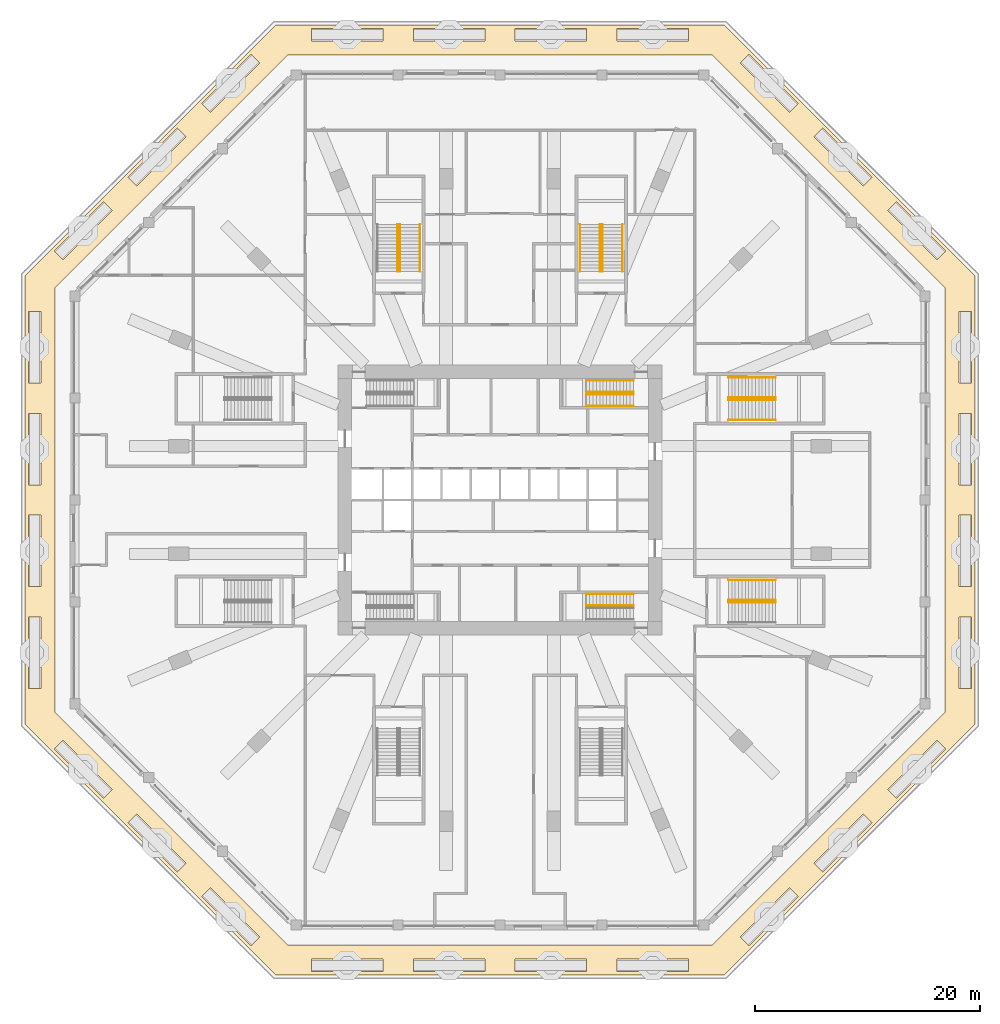
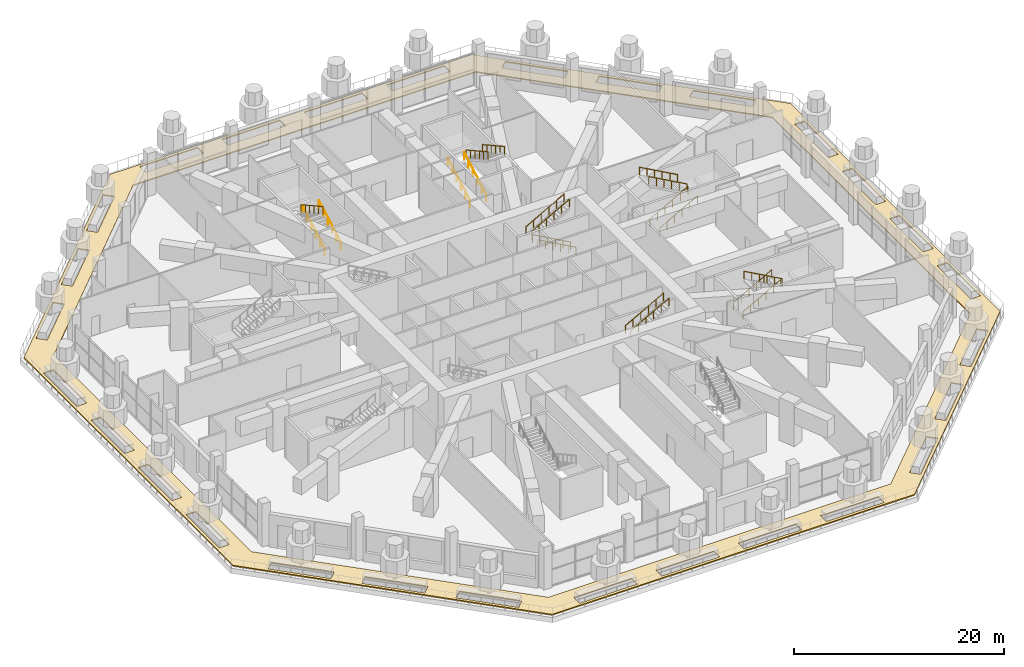
# One storey, part 24 of 25: 20 railings, 1 covering.
"""IFC4 building model written with IfcOpenShell, lengths in metres."""

import ifcopenshell
import ifcopenshell.guid

model = None  # the IFC model being written
_history = None  # IfcOwnerHistory: only IFC2X3 demands one
_inside = {}  # id of a spatial element -> (the spatial element, [elements in it])
_under = {}  # id of a project, library or spatial element -> (it, [spatial elements below it])
_declared = {}  # id of a project -> (the project, [libraries it declares])
_typed = {}  # id of a type object -> (the type object, [elements of that type])
_made_of = {}  # id of a material, layer set ... -> (it, [elements and type objects made of it])


def new_model(schema):
    """Start an empty IFC model of exactly this schema.

    Asked for "IFC4X3", IfcOpenShell would pick the latest addendum, in which some entities
    have other attributes; the version numbers below select the first issue.
    IFC2X3 requires an IfcOwnerHistory on every rooted entity: one is made here for all.
    """
    global model, _history
    if schema == "IFC4X3":
        model = ifcopenshell.file(schema_version=(4, 3, 0, 0))
    else:
        model = ifcopenshell.file(schema=schema)
    _inside.clear()
    _under.clear()
    _declared.clear()
    _typed.clear()
    _made_of.clear()
    _history = None
    if model.schema == "IFC2X3":
        org = make("IfcOrganization", Name="unknown")
        user = make(
            "IfcPersonAndOrganization",
            ThePerson=make("IfcPerson", FamilyName="unknown"),
            TheOrganization=org,
        )
        app = make(
            "IfcApplication",
            ApplicationDeveloper=org,
            Version="unknown",
            ApplicationFullName="unknown",
            ApplicationIdentifier="unknown",
        )
        _history = make(
            "IfcOwnerHistory",
            OwningUser=user,
            OwningApplication=app,
            ChangeAction="ADDED",
            CreationDate=0,
        )
    return model


def make(cls, **values):
    """One entity of the class cls with the attributes given. An attribute that is None is left unset."""
    return model.create_entity(
        cls, **{name: value for name, value in values.items() if value is not None}
    )


def rooted(cls, **values):
    """An entity with a GlobalId (a new one), such as an element, a storey or a relation."""
    return make(cls, GlobalId=ifcopenshell.guid.new(), OwnerHistory=_history, **values)


def si_unit(unit_type, name, prefix=None):
    """IfcSIUnit, for example si_unit("LENGTHUNIT", "METRE", prefix="MILLI")."""
    return make("IfcSIUnit", UnitType=unit_type, Prefix=prefix, Name=name)


def assignment(units):
    """IfcUnitAssignment: the units of a project."""
    return None if units is None else make("IfcUnitAssignment", Units=units)


def point(xyz):
    """IfcCartesianPoint."""
    return None if xyz is None else make("IfcCartesianPoint", Coordinates=xyz)


def direction(xyz):
    """IfcDirection."""
    return None if xyz is None else make("IfcDirection", DirectionRatios=xyz)


def frame(location, z_axis=None, x_axis=None):
    """IfcAxis2Placement3D, a coordinate frame: its origin and axes. An axis left out is left unset."""
    return make(
        "IfcAxis2Placement3D",
        Location=point(location),
        Axis=direction(z_axis),
        RefDirection=direction(x_axis),
    )


def frame_2d(location, x_axis=None):
    """IfcAxis2Placement2D, a coordinate frame in the plane: its origin and x axis."""
    return make(
        "IfcAxis2Placement2D", Location=point(location), RefDirection=direction(x_axis)
    )


def origin():
    """The frame at (0, 0, 0) with its axes left unset."""
    return frame((0.0, 0.0, 0.0))


def origin_2d():
    """The frame at (0, 0) in the plane with its x axis left unset."""
    return frame_2d((0.0, 0.0))


def place(relative_to, where):
    """IfcLocalPlacement: puts the frame where relative to a parent placement (None: the world)."""
    return make(
        "IfcLocalPlacement", PlacementRelTo=relative_to, RelativePlacement=where
    )


def context(
    kind, dimensions, precision=None, world=None, true_north=None, identifier=None
):
    """IfcGeometricRepresentationContext, for example the 3D "Model" context."""
    return make(
        "IfcGeometricRepresentationContext",
        ContextIdentifier=identifier,
        ContextType=kind,
        CoordinateSpaceDimension=dimensions,
        Precision=precision,
        WorldCoordinateSystem=world,
        TrueNorth=true_north,
    )


def subcontext(parent, identifier, kind, view, scale=None):
    """IfcGeometricRepresentationSubContext, for example "Body" below "Model"."""
    return make(
        "IfcGeometricRepresentationSubContext",
        ContextIdentifier=identifier,
        ContextType=kind,
        ParentContext=parent,
        TargetScale=scale,
        TargetView=view,
    )


def project(units=None, contexts=None):
    """IfcProject with its units and contexts."""
    return rooted(
        "IfcProject",
        Name="project",
        RepresentationContexts=contexts,
        UnitsInContext=assignment(units),
    )


def spatial(cls, under=None, at=None, **own):
    """A site, building, storey or space (cls), placed at a placement, below another one or the project."""
    s = rooted(cls, ObjectPlacement=at, **own)
    if under is not None:
        _under.setdefault(under.id(), (under, []))[1].append(s)
    return s


def polyline(points):
    """IfcPolyline through the points."""
    return make("IfcPolyline", Points=[point(p) for p in points])


def profile(cls, at=None, kind="AREA", **sizes):
    """A parametric profile (cls). Its sizes go by their IFC names, for example OverallWidth=200.0."""
    return make(cls, ProfileType=kind, Position=at, **sizes)


def circle(**sizes):
    """IfcCircleProfileDef."""
    return profile("IfcCircleProfileDef", **sizes)


def outline(outer, holes=None, kind="AREA"):
    """IfcArbitraryClosedProfileDef: a profile drawn as a closed curve; with holes, ...WithVoids."""
    if holes is None:
        return make("IfcArbitraryClosedProfileDef", ProfileType=kind, OuterCurve=outer)
    return make(
        "IfcArbitraryProfileDefWithVoids",
        ProfileType=kind,
        OuterCurve=outer,
        InnerCurves=holes,
    )


def extrude(swept, where, along, depth):
    """IfcExtrudedAreaSolid: the profile swept, set in the frame where, extruded along a direction by depth."""
    return make(
        "IfcExtrudedAreaSolid",
        SweptArea=swept,
        Position=where,
        ExtrudedDirection=direction(along),
        Depth=depth,
    )


def shape(context_of_items, identifier, shape_type, items):
    """IfcShapeRepresentation: the items that make up one representation, for example the "Body"."""
    return make(
        "IfcShapeRepresentation",
        ContextOfItems=context_of_items,
        RepresentationIdentifier=identifier,
        RepresentationType=shape_type,
        Items=items,
    )


def material(Name=None, Category=None):
    """IfcMaterial."""
    return make("IfcMaterial", Name=Name, Category=Category)


def layer(
    of_material, thickness, ventilated=None, Name=None, Category=None, Priority=None
):
    """IfcMaterialLayer: one layer of a wall or slab, of a material (None: an air gap)."""
    return make(
        "IfcMaterialLayer",
        Material=of_material,
        LayerThickness=thickness,
        IsVentilated=ventilated,
        Name=Name,
        Category=Category,
        Priority=Priority,
    )


def layer_set(layers, Name=None):
    """IfcMaterialLayerSet."""
    return make("IfcMaterialLayerSet", MaterialLayers=layers, LayerSetName=Name)


def constituent(of_material, Name=None, Category=None, fraction=None):
    """IfcMaterialConstituent: one of the materials an element consists of."""
    return make(
        "IfcMaterialConstituent",
        Name=Name,
        Material=of_material,
        Fraction=fraction,
        Category=Category,
    )


def constituent_set(constituents=None, Name=None):
    """IfcMaterialConstituentSet."""
    return make(
        "IfcMaterialConstituentSet", Name=Name, MaterialConstituents=constituents
    )


def made_of(thing, what):
    """Note that an element or type object is made of a material, layer set ...; save() writes the relation."""
    if what is not None:
        _made_of.setdefault(what.id(), (what, []))[1].append(thing)
    return thing


def type_object(cls, material=None, **own):
    """A type object (cls), such as IfcWallType, which elements share."""
    return made_of(rooted(cls, **own), material)


def element(
    cls,
    number,
    at=None,
    inside=None,
    cuts=None,
    type_object=None,
    material=None,
    context=None,
    identifier="Body",
    shape_type=None,
    held_by="IfcProductDefinitionShape",
    body=None,
    shapes=None,
    **own,
):
    """One element of the class cls, such as IfcWall. Its Tag is "e" and its number.

    at: its placement. inside: the storey or other place that contains it. cuts: it is an
    opening in that element (IfcRelVoidsElement). A single representation is given by context,
    identifier, shape_type and body (its items); several are given by shapes. held_by: the class
    of the entity that holds the representations. save() writes the other relations.
    """
    e = rooted(cls, Tag="e%d" % number, ObjectPlacement=at, **own)
    if body is not None:
        shapes = [shape(context, identifier, shape_type, body)]
    if shapes is not None:
        e.Representation = make(held_by, Representations=shapes)
    if inside is not None:
        _inside.setdefault(inside.id(), (inside, []))[1].append(e)
    if cuts is not None:
        rooted(
            "IfcRelVoidsElement", RelatingBuildingElement=cuts, RelatedOpeningElement=e
        )
    if type_object is not None:
        _typed.setdefault(type_object.id(), (type_object, []))[1].append(e)
    return made_of(e, material)


def aggregate(whole, parts):
    """IfcRelAggregates: a whole, such as a stair, and the parts it consists of."""
    return rooted("IfcRelAggregates", RelatingObject=whole, RelatedObjects=parts)


def save(model, path):
    """Write the relations noted so far, then the file.

    IfcRelAggregates (storeys below a building ...), IfcRelContainedInSpatialStructure (elements
    in a storey), IfcRelDefinesByType, IfcRelAssociatesMaterial and IfcRelDeclares: one each for
    every whole, place, type object, material and project.
    """
    for whole, parts in _under.values():
        aggregate(whole, parts)
    for where, things in _inside.values():
        rooted(
            "IfcRelContainedInSpatialStructure",
            RelatedElements=things,
            RelatingStructure=where,
        )
    for kind, things in _typed.values():
        rooted("IfcRelDefinesByType", RelatedObjects=things, RelatingType=kind)
    for what, things in _made_of.values():
        rooted("IfcRelAssociatesMaterial", RelatedObjects=things, RelatingMaterial=what)
    for by, libraries in _declared.values():
        rooted("IfcRelDeclares", RelatingContext=by, RelatedDefinitions=libraries)
    model.write(path)


model = new_model("IFC4")

# Units and contexts
model_context = context("Model", 3, precision=1e-05, world=origin(), true_north=direction((0.0, 1.0)))
body_context = subcontext(model_context, "Body", "Model", "MODEL_VIEW")
ifc_project = project(units=[si_unit("LENGTHUNIT", "METRE"), si_unit("AREAUNIT", "SQUARE_METRE"), si_unit("VOLUMEUNIT", "CUBIC_METRE"), si_unit("PLANEANGLEUNIT", "RADIAN"), si_unit("MASSUNIT", "GRAM", prefix="KILO")], contexts=[model_context])

# Site, building, storey
site_placement = place(None, origin())
site = spatial("IfcSite", under=ifc_project, at=site_placement, CompositionType="ELEMENT")
building_placement = place(site_placement, origin())
building = spatial("IfcBuilding", under=site, at=building_placement, Name="Msitu Wima Residences", CompositionType="ELEMENT")
storey_placement = place(building_placement, frame((0.0, 0.0, 11.0)))
storey = spatial("IfcBuildingStorey", under=building, at=storey_placement, Name="L02", CompositionType="ELEMENT", Elevation=11.0)

# Railings
ifc_material_1 = material(Name="Steel S355", Category="steel")
ifc_constituent_1 = constituent(ifc_material_1, Name="Steel S355")
ifc_material_2 = material(Name="Black powder coating")
ifc_constituent_2 = constituent(ifc_material_2, Name="Black powder coating")
ifc_constituent_set = constituent_set(constituents=[ifc_constituent_1, ifc_constituent_2], Name="Steel S355")
railing_type = type_object("IfcRailingType", Name="Stair handrail HR1", PredefinedType="HANDRAIL", material=ifc_constituent_set)
for number, where, name in (
    (1, (11.875, 8.375, 0.166748046875), "Stair 3 handrail"),
    (2, (11.875, 9.375, 0.166748046875), "Stair 3 handrail"),
):
    element("IfcRailing", number, at=place(storey_placement, frame(where)), inside=storey, type_object=railing_type, Name=name, PredefinedType="HANDRAIL", context=body_context, shape_type="SweptSolid", body=[
        extrude(circle(Radius=0.02392578125, at=origin_2d()), frame((0.0, 0.0, 0.8759765625), z_axis=(-0.874162069901, 0.0, 0.485634302275), x_axis=(0.0, -1.0, 0.0)), (0.0, 0.0, 1.0), 4.804443359375),
        extrude(circle(Radius=0.02099609375, at=origin_2d()), origin(), (0.0, 0.0, 1.0), 0.851806640625),
        extrude(circle(Radius=0.02099609375, at=origin_2d()), frame((-0.840087890625, 0.0, 0.466552734375)), (0.0, 0.0, 1.0), 0.851806640625),
        extrude(circle(Radius=0.02099609375, at=origin_2d()), frame((-1.679931640625, 0.0, 0.933349609375)), (0.0, 0.0, 1.0), 0.851806640625),
        extrude(circle(Radius=0.02099609375, at=origin_2d()), frame((-2.52001953125, 0.0, 1.39990234375)), (0.0, 0.0, 1.0), 0.851806640625),
        extrude(circle(Radius=0.02099609375, at=origin_2d()), frame((-3.35986328125, 0.0, 1.86669921875)), (0.0, 0.0, 1.0), 0.851806640625),
        extrude(circle(Radius=0.02099609375, at=origin_2d()), frame((-4.199951171875, 0.0, 2.333251953125)), (0.0, 0.0, 1.0), 0.851806640625),
    ])
for number, where, name in (
    (3, (7.675048828125, 9.625, 2.666748046875), "Stair 3 handrail"),
    (4, (7.675048828125, 10.625, 2.666748046875), "Stair 3 handrail"),
    (5, (7.675048828125, -9.375, 2.666748046875), "Stair 4 handrail"),
    (6, (7.675048828125, -8.375, 2.666748046875), "Stair 4 handrail"),
    (7, (20.324951171875, 7.10009765625, 0.166748046875), "Podium exit stair 1 handrail"),
    (8, (20.324951171875, 8.89990234375, 0.166748046875), "Podium exit stair 1 handrail"),
):
    element("IfcRailing", number, at=place(storey_placement, frame(where)), inside=storey, type_object=railing_type, Name=name, PredefinedType="HANDRAIL", context=body_context, shape_type="SweptSolid", body=[
        extrude(circle(Radius=0.02392578125, at=origin_2d()), frame((0.0, 0.0, 0.8759765625), z_axis=(0.874162069901, 0.0, 0.485634302275), x_axis=(0.0, 1.0, 0.0)), (0.0, 0.0, 1.0), 4.804443359375),
        extrude(circle(Radius=0.02099609375, at=origin_2d()), origin(), (0.0, 0.0, 1.0), 0.851806640625),
        extrude(circle(Radius=0.02099609375, at=origin_2d()), frame((0.840087890625, 0.0, 0.466552734375)), (0.0, 0.0, 1.0), 0.851806640625),
        extrude(circle(Radius=0.02099609375, at=origin_2d()), frame((1.679931640625, 0.0, 0.933349609375)), (0.0, 0.0, 1.0), 0.851806640625),
        extrude(circle(Radius=0.02099609375, at=origin_2d()), frame((2.52001953125, 0.0, 1.39990234375)), (0.0, 0.0, 1.0), 0.851806640625),
        extrude(circle(Radius=0.02099609375, at=origin_2d()), frame((3.35986328125, 0.0, 1.86669921875)), (0.0, 0.0, 1.0), 0.851806640625),
        extrude(circle(Radius=0.02099609375, at=origin_2d()), frame((4.199951171875, 0.0, 2.333251953125)), (0.0, 0.0, 1.0), 0.851806640625),
    ])
for number, where, name in (
    (9, (24.52490234375, 9.10009765625, 2.666748046875), "Podium exit stair 1 handrail"),
    (10, (24.52490234375, 10.89990234375, 2.666748046875), "Podium exit stair 1 handrail"),
):
    element("IfcRailing", number, at=place(storey_placement, frame(where)), inside=storey, type_object=railing_type, Name=name, PredefinedType="HANDRAIL", context=body_context, shape_type="SweptSolid", body=[
        extrude(circle(Radius=0.02392578125, at=origin_2d()), frame((0.0, 0.0, 0.8759765625), z_axis=(-0.874162069901, 0.0, 0.485634302275), x_axis=(0.0, -1.0, 0.0)), (0.0, 0.0, 1.0), 4.804443359375),
        extrude(circle(Radius=0.02099609375, at=origin_2d()), origin(), (0.0, 0.0, 1.0), 0.851806640625),
        extrude(circle(Radius=0.02099609375, at=origin_2d()), frame((-0.840087890625, 0.0, 0.466552734375)), (0.0, 0.0, 1.0), 0.851806640625),
        extrude(circle(Radius=0.02099609375, at=origin_2d()), frame((-1.679931640625, 0.0, 0.933349609375)), (0.0, 0.0, 1.0), 0.851806640625),
        extrude(circle(Radius=0.02099609375, at=origin_2d()), frame((-2.52001953125, 0.0, 1.39990234375)), (0.0, 0.0, 1.0), 0.851806640625),
        extrude(circle(Radius=0.02099609375, at=origin_2d()), frame((-3.35986328125, 0.0, 1.86669921875)), (0.0, 0.0, 1.0), 0.851806640625),
        extrude(circle(Radius=0.02099609375, at=origin_2d()), frame((-4.199951171875, 0.0, 2.333251953125)), (0.0, 0.0, 1.0), 0.851806640625),
    ])
for number, where, name in (
    (11, (20.324951171875, -7.10009765625, 0.166748046875), "Podium exit stair 2 handrail"),
    (12, (20.324951171875, -8.89990234375, 0.166748046875), "Podium exit stair 2 handrail"),
):
    element("IfcRailing", number, at=place(storey_placement, frame(where)), inside=storey, type_object=railing_type, Name=name, PredefinedType="HANDRAIL", context=body_context, shape_type="SweptSolid", body=[
        extrude(circle(Radius=0.02392578125, at=origin_2d()), frame((0.0, 0.0, 0.8759765625), z_axis=(0.874162069901, 0.0, 0.485634302275), x_axis=(0.0, 1.0, 0.0)), (0.0, 0.0, 1.0), 4.804443359375),
        extrude(circle(Radius=0.02099609375, at=origin_2d()), origin(), (0.0, 0.0, 1.0), 0.851806640625),
        extrude(circle(Radius=0.02099609375, at=origin_2d()), frame((0.840087890625, 0.0, 0.466552734375)), (0.0, 0.0, 1.0), 0.851806640625),
        extrude(circle(Radius=0.02099609375, at=origin_2d()), frame((1.679931640625, 0.0, 0.933349609375)), (0.0, 0.0, 1.0), 0.851806640625),
        extrude(circle(Radius=0.02099609375, at=origin_2d()), frame((2.52001953125, 0.0, 1.39990234375)), (0.0, 0.0, 1.0), 0.851806640625),
        extrude(circle(Radius=0.02099609375, at=origin_2d()), frame((3.35986328125, 0.0, 1.86669921875)), (0.0, 0.0, 1.0), 0.851806640625),
        extrude(circle(Radius=0.02099609375, at=origin_2d()), frame((4.199951171875, 0.0, 2.333251953125)), (0.0, 0.0, 1.0), 0.851806640625),
    ])
railing_1_placement = place(storey_placement, frame((24.52490234375, -9.10009765625, 2.666748046875)))
element("IfcRailing", 13, at=railing_1_placement, inside=storey, type_object=railing_type, Name="Podium exit stair 2 handrail", PredefinedType="HANDRAIL", context=body_context, shape_type="SweptSolid", body=[
    extrude(circle(Radius=0.02392578125, at=origin_2d()), frame((0.0, 0.0, 0.8759765625), z_axis=(-0.874162069901, 0.0, 0.485634302275), x_axis=(0.0, -1.0, 0.0)), (0.0, 0.0, 1.0), 4.804443359375),
    extrude(circle(Radius=0.02099609375, at=origin_2d()), origin(), (0.0, 0.0, 1.0), 0.851806640625),
    extrude(circle(Radius=0.02099609375, at=origin_2d()), frame((-0.840087890625, 0.0, 0.466552734375)), (0.0, 0.0, 1.0), 0.851806640625),
    extrude(circle(Radius=0.02099609375, at=origin_2d()), frame((-1.679931640625, 0.0, 0.933349609375)), (0.0, 0.0, 1.0), 0.851806640625),
    extrude(circle(Radius=0.02099609375, at=origin_2d()), frame((-2.52001953125, 0.0, 1.39990234375)), (0.0, 0.0, 1.0), 0.851806640625),
    extrude(circle(Radius=0.02099609375, at=origin_2d()), frame((-3.35986328125, 0.0, 1.86669921875)), (0.0, 0.0, 1.0), 0.851806640625),
    extrude(circle(Radius=0.02099609375, at=origin_2d()), frame((-4.199951171875, 0.0, 2.333251953125)), (0.0, 0.0, 1.0), 0.851806640625),
])
for number, where, name in (
    (14, (-7.10009765625, 20.324951171875, 0.166748046875), "Podium exit stair 3 handrail"),
    (15, (-8.89990234375, 20.324951171875, 0.166748046875), "Podium exit stair 3 handrail"),
):
    element("IfcRailing", number, at=place(storey_placement, frame(where)), inside=storey, type_object=railing_type, Name=name, PredefinedType="HANDRAIL", context=body_context, shape_type="SweptSolid", body=[
        extrude(circle(Radius=0.02392578125, at=origin_2d()), frame((0.0, 0.0, 0.8759765625), z_axis=(0.0, 0.874162069901, 0.485634302275), x_axis=(-1.0, 0.0, 0.0)), (0.0, 0.0, 1.0), 4.804443359375),
        extrude(circle(Radius=0.02099609375, at=origin_2d()), origin(), (0.0, 0.0, 1.0), 0.851806640625),
        extrude(circle(Radius=0.02099609375, at=origin_2d()), frame((0.0, 0.840087890625, 0.466552734375)), (0.0, 0.0, 1.0), 0.851806640625),
        extrude(circle(Radius=0.02099609375, at=origin_2d()), frame((0.0, 1.679931640625, 0.933349609375)), (0.0, 0.0, 1.0), 0.851806640625),
        extrude(circle(Radius=0.02099609375, at=origin_2d()), frame((0.0, 2.52001953125, 1.39990234375)), (0.0, 0.0, 1.0), 0.851806640625),
        extrude(circle(Radius=0.02099609375, at=origin_2d()), frame((0.0, 3.35986328125, 1.86669921875)), (0.0, 0.0, 1.0), 0.851806640625),
        extrude(circle(Radius=0.02099609375, at=origin_2d()), frame((0.0, 4.199951171875, 2.333251953125)), (0.0, 0.0, 1.0), 0.851806640625),
    ])
railing_2_placement = place(storey_placement, frame((-9.10009765625, 24.52490234375, 2.666748046875)))
element("IfcRailing", 16, at=railing_2_placement, inside=storey, type_object=railing_type, Name="Podium exit stair 3 handrail", PredefinedType="HANDRAIL", context=body_context, shape_type="SweptSolid", body=[
    extrude(circle(Radius=0.02392578125, at=origin_2d()), frame((0.0, 0.0, 0.8759765625), z_axis=(0.0, -0.874162069901, 0.485634302275), x_axis=(1.0, 0.0, 0.0)), (0.0, 0.0, 1.0), 4.804443359375),
    extrude(circle(Radius=0.02099609375, at=origin_2d()), origin(), (0.0, 0.0, 1.0), 0.851806640625),
    extrude(circle(Radius=0.02099609375, at=origin_2d()), frame((0.0, -0.840087890625, 0.466552734375)), (0.0, 0.0, 1.0), 0.851806640625),
    extrude(circle(Radius=0.02099609375, at=origin_2d()), frame((0.0, -1.679931640625, 0.933349609375)), (0.0, 0.0, 1.0), 0.851806640625),
    extrude(circle(Radius=0.02099609375, at=origin_2d()), frame((0.0, -2.52001953125, 1.39990234375)), (0.0, 0.0, 1.0), 0.851806640625),
    extrude(circle(Radius=0.02099609375, at=origin_2d()), frame((0.0, -3.35986328125, 1.86669921875)), (0.0, 0.0, 1.0), 0.851806640625),
    extrude(circle(Radius=0.02099609375, at=origin_2d()), frame((0.0, -4.199951171875, 2.333251953125)), (0.0, 0.0, 1.0), 0.851806640625),
])
for number, where, name in (
    (17, (7.10009765625, 20.324951171875, 0.166748046875), "Podium exit stair 4 handrail"),
    (18, (8.89990234375, 20.324951171875, 0.166748046875), "Podium exit stair 4 handrail"),
):
    element("IfcRailing", number, at=place(storey_placement, frame(where)), inside=storey, type_object=railing_type, Name=name, PredefinedType="HANDRAIL", context=body_context, shape_type="SweptSolid", body=[
        extrude(circle(Radius=0.02392578125, at=origin_2d()), frame((0.0, 0.0, 0.8759765625), z_axis=(0.0, 0.874162069901, 0.485634302275), x_axis=(-1.0, 0.0, 0.0)), (0.0, 0.0, 1.0), 4.804443359375),
        extrude(circle(Radius=0.02099609375, at=origin_2d()), origin(), (0.0, 0.0, 1.0), 0.851806640625),
        extrude(circle(Radius=0.02099609375, at=origin_2d()), frame((0.0, 0.840087890625, 0.466552734375)), (0.0, 0.0, 1.0), 0.851806640625),
        extrude(circle(Radius=0.02099609375, at=origin_2d()), frame((0.0, 1.679931640625, 0.933349609375)), (0.0, 0.0, 1.0), 0.851806640625),
        extrude(circle(Radius=0.02099609375, at=origin_2d()), frame((0.0, 2.52001953125, 1.39990234375)), (0.0, 0.0, 1.0), 0.851806640625),
        extrude(circle(Radius=0.02099609375, at=origin_2d()), frame((0.0, 3.35986328125, 1.86669921875)), (0.0, 0.0, 1.0), 0.851806640625),
        extrude(circle(Radius=0.02099609375, at=origin_2d()), frame((0.0, 4.199951171875, 2.333251953125)), (0.0, 0.0, 1.0), 0.851806640625),
    ])
for number, where, name in (
    (19, (9.10009765625, 24.52490234375, 2.666748046875), "Podium exit stair 4 handrail"),
    (20, (10.89990234375, 24.52490234375, 2.666748046875), "Podium exit stair 4 handrail"),
):
    element("IfcRailing", number, at=place(storey_placement, frame(where)), inside=storey, type_object=railing_type, Name=name, PredefinedType="HANDRAIL", context=body_context, shape_type="SweptSolid", body=[
        extrude(circle(Radius=0.02392578125, at=origin_2d()), frame((0.0, 0.0, 0.8759765625), z_axis=(0.0, -0.874162069901, 0.485634302275), x_axis=(1.0, 0.0, 0.0)), (0.0, 0.0, 1.0), 4.804443359375),
        extrude(circle(Radius=0.02099609375, at=origin_2d()), origin(), (0.0, 0.0, 1.0), 0.851806640625),
        extrude(circle(Radius=0.02099609375, at=origin_2d()), frame((0.0, -0.840087890625, 0.466552734375)), (0.0, 0.0, 1.0), 0.851806640625),
        extrude(circle(Radius=0.02099609375, at=origin_2d()), frame((0.0, -1.679931640625, 0.933349609375)), (0.0, 0.0, 1.0), 0.851806640625),
        extrude(circle(Radius=0.02099609375, at=origin_2d()), frame((0.0, -2.52001953125, 1.39990234375)), (0.0, 0.0, 1.0), 0.851806640625),
        extrude(circle(Radius=0.02099609375, at=origin_2d()), frame((0.0, -3.35986328125, 1.86669921875)), (0.0, 0.0, 1.0), 0.851806640625),
        extrude(circle(Radius=0.02099609375, at=origin_2d()), frame((0.0, -4.199951171875, 2.333251953125)), (0.0, 0.0, 1.0), 0.851806640625),
    ])

# Covering
ifc_material_3 = material(Name="Lawn and planting")
ifc_layer = layer(ifc_material_3, 0.1201171875)
ifc_layer_set = layer_set([ifc_layer], Name="Lawn and planting")
covering_type = type_object("IfcCoveringType", Name="Terrace planting PL120", PredefinedType="USERDEFINED", material=ifc_layer_set)
covering_placement = place(storey_placement, origin())
element("IfcCovering", 21, at=covering_placement, inside=storey, type_object=covering_type, Name="Terrace planting L02 1", ObjectType="PLANTING", PredefinedType="USERDEFINED", context=body_context, shape_type="SweptSolid", body=[
    extrude(outline(polyline([(-19.97119140625, -42.25), (-42.25, -19.97119140625), (-42.25, 19.97119140625), (-19.97119140625, 42.25), (19.97119140625, 42.25), (42.25, 19.97119140625), (42.25, -19.97119140625), (19.97119140625, -42.25), (-19.97119140625, -42.25)]), holes=[polyline([(-16.77783203125, -40.85009765625), (-16.77783203125, -41.949951171875), (-10.4140625, -41.949951171875), (-10.4140625, -40.85009765625), (-16.77783203125, -40.85009765625)]), polyline([(-1.35009765625, -40.85009765625), (-7.7138671875, -40.85009765625), (-7.7138671875, -41.949951171875), (-1.35009765625, -41.949951171875), (-1.35009765625, -40.85009765625)]), polyline([(-21.37109375, -38.870361328125), (-25.755615234375, -34.485595703125), (-26.533447265625, -35.263427734375), (-22.14892578125, -39.648193359375), (-21.37109375, -38.870361328125)]), polyline([(-27.928466796875, -32.31298828125), (-32.31298828125, -27.928466796875), (-33.0908203125, -28.7060546875), (-28.7060546875, -33.0908203125), (-27.928466796875, -32.31298828125)]), polyline([(-34.485595703125, -25.755615234375), (-38.870361328125, -21.37109375), (-39.648193359375, -22.14892578125), (-35.263427734375, -26.533447265625), (-34.485595703125, -25.755615234375)]), polyline([(-40.85009765625, -16.77783203125), (-40.85009765625, -10.4140625), (-41.949951171875, -10.4140625), (-41.949951171875, -16.77783203125), (-40.85009765625, -16.77783203125)]), polyline([(-40.85009765625, -7.7138671875), (-40.85009765625, -1.35009765625), (-41.949951171875, -1.35009765625), (-41.949951171875, -7.7138671875), (-40.85009765625, -7.7138671875)]), polyline([(-18.87353515625, -39.60009765625), (18.87353515625, -39.60009765625), (39.60009765625, -18.87353515625), (39.60009765625, 18.87353515625), (18.87353515625, 39.60009765625), (-18.87353515625, 39.60009765625), (-39.60009765625, 18.87353515625), (-39.60009765625, -18.87353515625), (-18.87353515625, -39.60009765625)]), polyline([(-40.85009765625, 1.35009765625), (-40.85009765625, 7.7138671875), (-41.949951171875, 7.7138671875), (-41.949951171875, 1.35009765625), (-40.85009765625, 1.35009765625)]), polyline([(-40.85009765625, 10.4140625), (-40.85009765625, 16.77783203125), (-41.949951171875, 16.77783203125), (-41.949951171875, 10.4140625), (-40.85009765625, 10.4140625)]), polyline([(-38.870361328125, 21.37109375), (-34.485595703125, 25.755615234375), (-35.263427734375, 26.533447265625), (-39.648193359375, 22.14892578125), (-38.870361328125, 21.37109375)]), polyline([(-32.31298828125, 27.928466796875), (-27.928466796875, 32.31298828125), (-28.7060546875, 33.0908203125), (-33.0908203125, 28.7060546875), (-32.31298828125, 27.928466796875)]), polyline([(-25.755615234375, 34.485595703125), (-21.37109375, 38.870361328125), (-22.14892578125, 39.648193359375), (-26.533447265625, 35.263427734375), (-25.755615234375, 34.485595703125)]), polyline([(-16.77783203125, 40.85009765625), (-10.4140625, 40.85009765625), (-10.4140625, 41.949951171875), (-16.77783203125, 41.949951171875), (-16.77783203125, 40.85009765625)]), polyline([(-1.35009765625, 40.85009765625), (-1.35009765625, 41.949951171875), (-7.7138671875, 41.949951171875), (-7.7138671875, 40.85009765625), (-1.35009765625, 40.85009765625)]), polyline([(7.7138671875, -40.85009765625), (1.35009765625, -40.85009765625), (1.35009765625, -41.949951171875), (7.7138671875, -41.949951171875), (7.7138671875, -40.85009765625)]), polyline([(16.77783203125, -40.85009765625), (10.4140625, -40.85009765625), (10.4140625, -41.949951171875), (16.77783203125, -41.949951171875), (16.77783203125, -40.85009765625)]), polyline([(25.755615234375, -34.485595703125), (21.37109375, -38.870361328125), (22.14892578125, -39.648193359375), (26.533447265625, -35.263427734375), (25.755615234375, -34.485595703125)]), polyline([(32.31298828125, -27.928466796875), (27.928466796875, -32.31298828125), (28.7060546875, -33.0908203125), (33.0908203125, -28.7060546875), (32.31298828125, -27.928466796875)]), polyline([(38.870361328125, -21.37109375), (34.485595703125, -25.755615234375), (35.263427734375, -26.533447265625), (39.648193359375, -22.14892578125), (38.870361328125, -21.37109375)]), polyline([(40.85009765625, -10.4140625), (40.85009765625, -16.77783203125), (41.949951171875, -16.77783203125), (41.949951171875, -10.4140625), (40.85009765625, -10.4140625)]), polyline([(40.85009765625, -1.35009765625), (40.85009765625, -7.7138671875), (41.949951171875, -7.7138671875), (41.949951171875, -1.35009765625), (40.85009765625, -1.35009765625)]), polyline([(40.85009765625, 7.7138671875), (40.85009765625, 1.35009765625), (41.949951171875, 1.35009765625), (41.949951171875, 7.7138671875), (40.85009765625, 7.7138671875)]), polyline([(40.85009765625, 16.77783203125), (40.85009765625, 10.4140625), (41.949951171875, 10.4140625), (41.949951171875, 16.77783203125), (40.85009765625, 16.77783203125)]), polyline([(34.485595703125, 25.755615234375), (38.870361328125, 21.37109375), (39.648193359375, 22.14892578125), (35.263427734375, 26.533447265625), (34.485595703125, 25.755615234375)]), polyline([(27.928466796875, 32.31298828125), (32.31298828125, 27.928466796875), (33.0908203125, 28.7060546875), (28.7060546875, 33.0908203125), (27.928466796875, 32.31298828125)]), polyline([(21.37109375, 38.870361328125), (25.755615234375, 34.485595703125), (26.533447265625, 35.263427734375), (22.14892578125, 39.648193359375), (21.37109375, 38.870361328125)]), polyline([(1.35009765625, 40.85009765625), (7.7138671875, 40.85009765625), (7.7138671875, 41.949951171875), (1.35009765625, 41.949951171875), (1.35009765625, 40.85009765625)]), polyline([(10.4140625, 40.85009765625), (16.77783203125, 40.85009765625), (16.77783203125, 41.949951171875), (10.4140625, 41.949951171875), (10.4140625, 40.85009765625)])]), origin(), (0.0, 0.0, 1.0), 0.1201171875),
])

save(model, "model.ifc")
